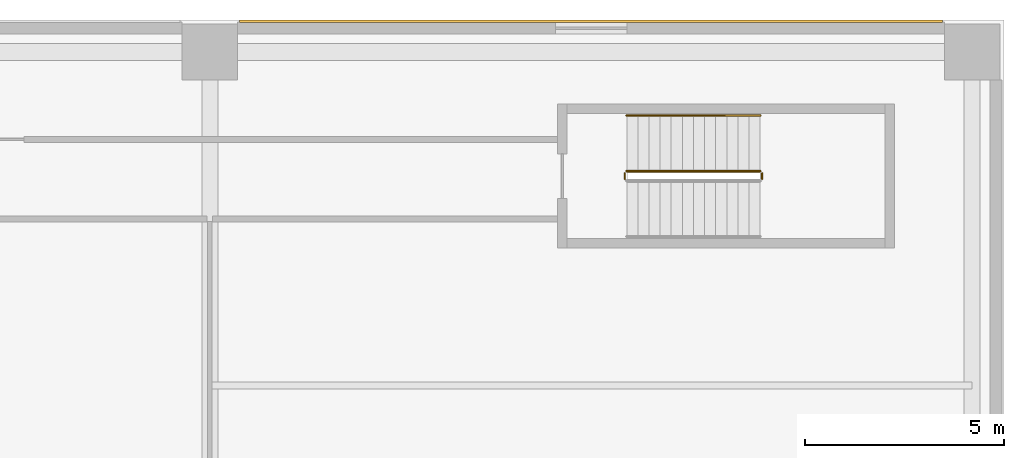
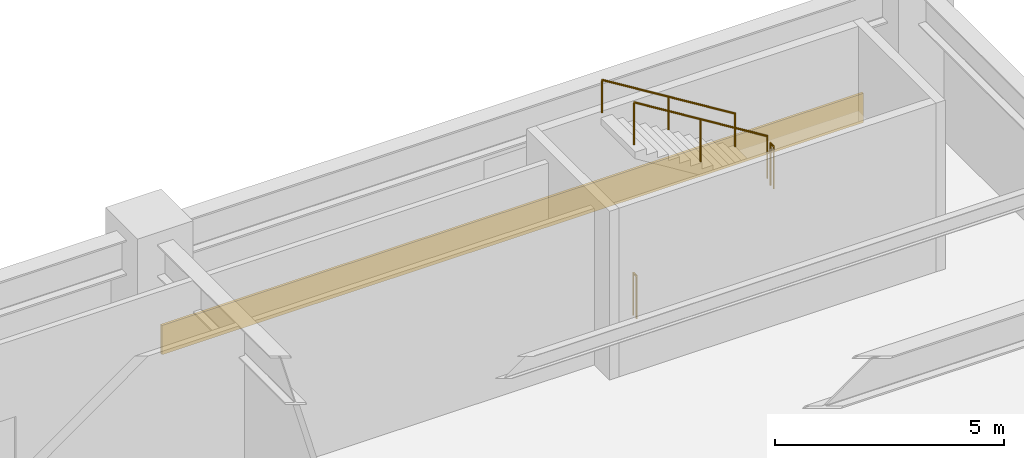
# One storey, part 28 of 28: 4 railings, 1 covering.
"""IFC4 building model written with IfcOpenShell, lengths in metres."""

from ifc_helpers import new_model, si_unit, direction, frame, origin, origin_2d, place, context, subcontext, project, spatial, rectangle, circle, extrude, material, layer, layer_set, type_object, element, save


model = new_model("IFC4")

# Units and contexts
model_context = context("Model", 3, precision=1e-05, world=origin(), true_north=direction((0.0, 1.0)))
body_context = subcontext(model_context, "Body", "Model", "MODEL_VIEW")
ifc_project = project(units=[si_unit("LENGTHUNIT", "METRE"), si_unit("AREAUNIT", "SQUARE_METRE"), si_unit("VOLUMEUNIT", "CUBIC_METRE"), si_unit("PLANEANGLEUNIT", "RADIAN"), si_unit("MASSUNIT", "GRAM", prefix="KILO")], contexts=[model_context])

# Site, building, storey
site_placement = place(None, origin())
site = spatial("IfcSite", under=ifc_project, at=site_placement, CompositionType="ELEMENT")
building_placement = place(site_placement, origin())
building = spatial("IfcBuilding", under=site, at=building_placement, Name="Soratama Intermodal Tower", CompositionType="ELEMENT")
storey_placement = place(building_placement, frame((0.0, 0.0, 20.699951171875)))
storey = spatial("IfcBuildingStorey", under=building, at=storey_placement, Name="L04", CompositionType="ELEMENT", Elevation=20.699951171875)

# Covering
ifc_material_1 = material(Name="Honed Andean limestone cladding", Category="masonry")
ifc_layer = layer(ifc_material_1, 0.06005859375)
ifc_layer_set = layer_set([ifc_layer], Name="Honed Andean limestone cladding")
covering_type = type_object("IfcCoveringType", Name="CV-STONE-CLAD", PredefinedType="CLADDING", material=ifc_layer_set)
covering_placement = place(storey_placement, frame((73.60009765625, 47.97607421875, 0.0302734375), z_axis=(0.0, 0.0, 1.0), x_axis=(1.0, 0.0, 0.0)))
element("IfcCovering", 1, at=covering_placement, inside=storey, type_object=covering_type, Name="L04 N Cladding B5", PredefinedType="CLADDING", context=body_context, shape_type="SweptSolid", body=[
    extrude(rectangle(XDim=17.699951171875, YDim=0.06005859375, at=origin_2d()), origin(), (0.0, 0.0, 1.0), 0.780029296875),
])

# Railings
ifc_material_2 = material(Name="Painted steel stair guardrail", Category="steel")
railing_type_1 = type_object("IfcRailingType", Name="RL-STAIR-GUARD", PredefinedType="GUARDRAIL", material=ifc_material_2)
railing_1_placement = place(storey_placement, frame((77.909912109375, 44.0, 2.25)))
element("IfcRailing", 2, at=railing_1_placement, inside=storey, type_object=railing_type_1, Name="L04 ST-4 stair guard 2", PredefinedType="GUARDRAIL", context=body_context, shape_type="SweptSolid", body=[
    extrude(circle(Radius=0.02392578125, at=origin_2d()), frame((0.0, 0.0, 1.1259765625), z_axis=(0.0, 1.0, 0.0), x_axis=(-1.0, 0.0, 0.0)), (0.0, 0.0, 1.0), 0.14990234375),
    extrude(circle(Radius=0.02099609375, at=origin_2d()), origin(), (0.0, 0.0, 1.0), 1.101806640625),
    extrude(circle(Radius=0.02099609375, at=origin_2d()), frame((0.0, 0.14990234375, 0.0)), (0.0, 0.0, 1.0), 1.101806640625),
])
railing_2_placement = place(storey_placement, frame((77.860107421875, 44.199951171875, 2.423095703125)))
element("IfcRailing", 3, at=railing_2_placement, inside=storey, type_object=railing_type_1, Name="L04 ST-4 stair guard 3", PredefinedType="GUARDRAIL", context=body_context, shape_type="SweptSolid", body=[
    extrude(circle(Radius=0.02392578125, at=origin_2d()), frame((0.0, 0.0, 1.1259765625), z_axis=(-0.850623216509, 0.0, 0.525775754039), x_axis=(0.0, -1.0, 0.0)), (0.0, 0.0, 1.0), 3.9501953125),
    extrude(circle(Radius=0.02099609375, at=origin_2d()), origin(), (0.0, 0.0, 1.0), 1.101806640625),
    extrude(circle(Radius=0.02099609375, at=origin_2d()), frame((-1.68017578125, 0.0, 1.03857421875)), (0.0, 0.0, 1.0), 1.101806640625),
    extrude(circle(Radius=0.02099609375, at=origin_2d()), frame((-3.360107421875, 0.0, 2.076904296875)), (0.0, 0.0, 1.0), 1.101806640625),
])
railing_3_placement = place(storey_placement, frame((74.449951171875, 44.0, 0.0)))
element("IfcRailing", 4, at=railing_3_placement, inside=storey, type_object=railing_type_1, Name="L04 ST-4 stair guard 4", PredefinedType="GUARDRAIL", context=body_context, shape_type="SweptSolid", body=[
    extrude(circle(Radius=0.02392578125, at=origin_2d()), frame((0.0, 0.0, 1.1259765625), z_axis=(0.0, 1.0, 0.0), x_axis=(-1.0, 0.0, 0.0)), (0.0, 0.0, 1.0), 0.14990234375),
    extrude(circle(Radius=0.02099609375, at=origin_2d()), origin(), (0.0, 0.0, 1.0), 1.101806640625),
    extrude(circle(Radius=0.02099609375, at=origin_2d()), frame((0.0, 0.14990234375, 0.0)), (0.0, 0.0, 1.0), 1.101806640625),
])
ifc_material_3 = material(Name="Brushed stainless steel handrail", Category="steel")
railing_type_2 = type_object("IfcRailingType", Name="RL-STAIR-HAND", PredefinedType="HANDRAIL", material=ifc_material_3)
railing_4_placement = place(storey_placement, frame((77.860107421875, 45.60009765625, 2.423095703125)))
element("IfcRailing", 5, at=railing_4_placement, inside=storey, type_object=railing_type_2, Name="L04 ST-4 stair handrail 2", PredefinedType="HANDRAIL", context=body_context, shape_type="SweptSolid", body=[
    extrude(circle(Radius=0.02392578125, at=origin_2d()), frame((0.0, 0.0, 0.8759765625), z_axis=(-0.850623216509, 0.0, 0.525775754039), x_axis=(0.0, -1.0, 0.0)), (0.0, 0.0, 1.0), 3.9501953125),
    extrude(circle(Radius=0.02099609375, at=origin_2d()), origin(), (0.0, 0.0, 1.0), 0.851806640625),
    extrude(circle(Radius=0.02099609375, at=origin_2d()), frame((-1.68017578125, 0.0, 1.03857421875)), (0.0, 0.0, 1.0), 0.851806640625),
    extrude(circle(Radius=0.02099609375, at=origin_2d()), frame((-3.360107421875, 0.0, 2.076904296875)), (0.0, 0.0, 1.0), 0.851806640625),
])

save(model, "model.ifc")
